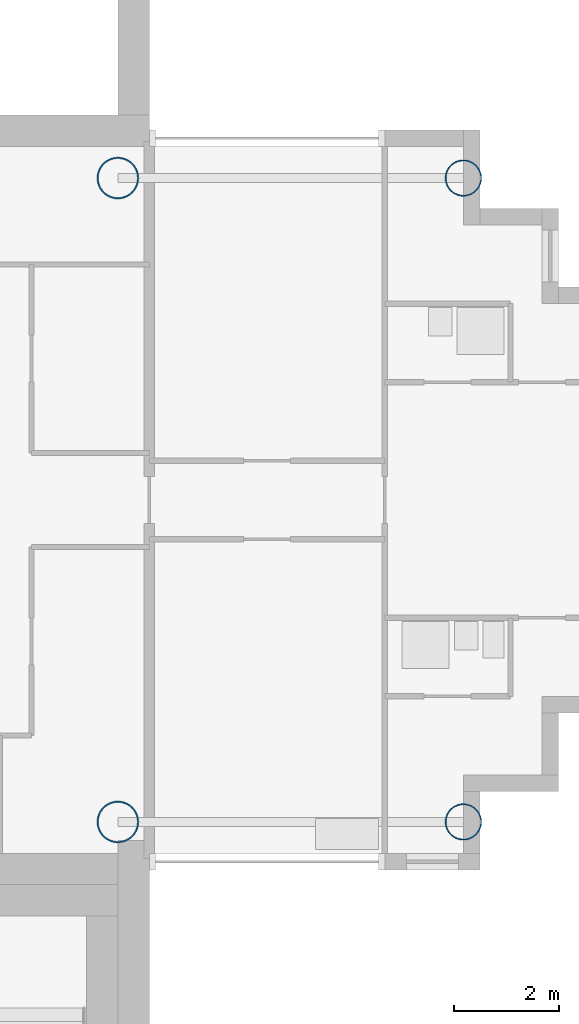
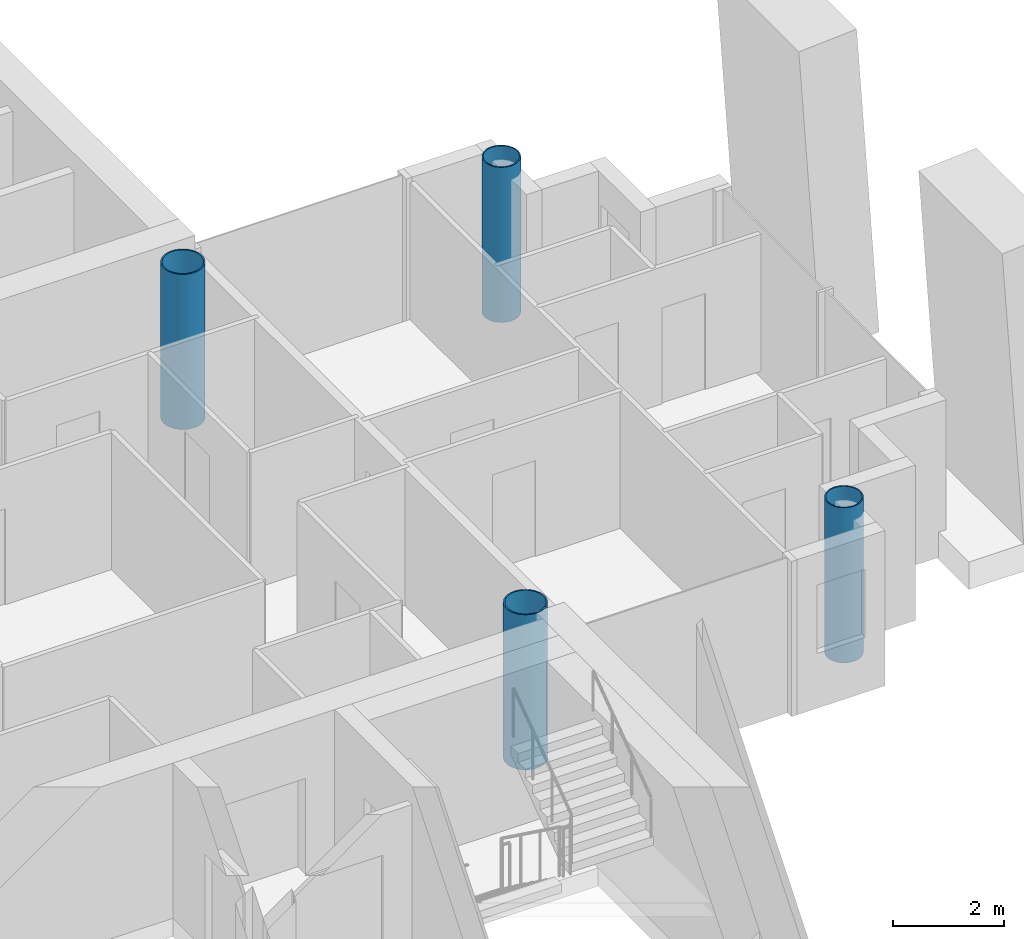
# One storey, part 2 of 19: 4 columns.
"""IFC4 building model written with IfcOpenShell, lengths in metres."""

import ifcopenshell
import ifcopenshell.guid

model = None  # the IFC model being written
_history = None  # IfcOwnerHistory: only IFC2X3 demands one
_inside = {}  # id of a spatial element -> (the spatial element, [elements in it])
_under = {}  # id of a project, library or spatial element -> (it, [spatial elements below it])
_declared = {}  # id of a project -> (the project, [libraries it declares])
_typed = {}  # id of a type object -> (the type object, [elements of that type])
_made_of = {}  # id of a material, layer set ... -> (it, [elements and type objects made of it])


def new_model(schema):
    """Start an empty IFC model of exactly this schema.

    Asked for "IFC4X3", IfcOpenShell would pick the latest addendum, in which some entities
    have other attributes; the version numbers below select the first issue.
    IFC2X3 requires an IfcOwnerHistory on every rooted entity: one is made here for all.
    """
    global model, _history
    if schema == "IFC4X3":
        model = ifcopenshell.file(schema_version=(4, 3, 0, 0))
    else:
        model = ifcopenshell.file(schema=schema)
    _inside.clear()
    _under.clear()
    _declared.clear()
    _typed.clear()
    _made_of.clear()
    _history = None
    if model.schema == "IFC2X3":
        org = make("IfcOrganization", Name="unknown")
        user = make(
            "IfcPersonAndOrganization",
            ThePerson=make("IfcPerson", FamilyName="unknown"),
            TheOrganization=org,
        )
        app = make(
            "IfcApplication",
            ApplicationDeveloper=org,
            Version="unknown",
            ApplicationFullName="unknown",
            ApplicationIdentifier="unknown",
        )
        _history = make(
            "IfcOwnerHistory",
            OwningUser=user,
            OwningApplication=app,
            ChangeAction="ADDED",
            CreationDate=0,
        )
    return model


def make(cls, **values):
    """One entity of the class cls with the attributes given. An attribute that is None is left unset."""
    return model.create_entity(
        cls, **{name: value for name, value in values.items() if value is not None}
    )


def rooted(cls, **values):
    """An entity with a GlobalId (a new one), such as an element, a storey or a relation."""
    return make(cls, GlobalId=ifcopenshell.guid.new(), OwnerHistory=_history, **values)


def si_unit(unit_type, name, prefix=None):
    """IfcSIUnit, for example si_unit("LENGTHUNIT", "METRE", prefix="MILLI")."""
    return make("IfcSIUnit", UnitType=unit_type, Prefix=prefix, Name=name)


def assignment(units):
    """IfcUnitAssignment: the units of a project."""
    return None if units is None else make("IfcUnitAssignment", Units=units)


def point(xyz):
    """IfcCartesianPoint."""
    return None if xyz is None else make("IfcCartesianPoint", Coordinates=xyz)


def direction(xyz):
    """IfcDirection."""
    return None if xyz is None else make("IfcDirection", DirectionRatios=xyz)


def frame(location, z_axis=None, x_axis=None):
    """IfcAxis2Placement3D, a coordinate frame: its origin and axes. An axis left out is left unset."""
    return make(
        "IfcAxis2Placement3D",
        Location=point(location),
        Axis=direction(z_axis),
        RefDirection=direction(x_axis),
    )


def frame_2d(location, x_axis=None):
    """IfcAxis2Placement2D, a coordinate frame in the plane: its origin and x axis."""
    return make(
        "IfcAxis2Placement2D", Location=point(location), RefDirection=direction(x_axis)
    )


def origin():
    """The frame at (0, 0, 0) with its axes left unset."""
    return frame((0.0, 0.0, 0.0))


def origin_2d():
    """The frame at (0, 0) in the plane with its x axis left unset."""
    return frame_2d((0.0, 0.0))


def place(relative_to, where):
    """IfcLocalPlacement: puts the frame where relative to a parent placement (None: the world)."""
    return make(
        "IfcLocalPlacement", PlacementRelTo=relative_to, RelativePlacement=where
    )


def context(
    kind, dimensions, precision=None, world=None, true_north=None, identifier=None
):
    """IfcGeometricRepresentationContext, for example the 3D "Model" context."""
    return make(
        "IfcGeometricRepresentationContext",
        ContextIdentifier=identifier,
        ContextType=kind,
        CoordinateSpaceDimension=dimensions,
        Precision=precision,
        WorldCoordinateSystem=world,
        TrueNorth=true_north,
    )


def subcontext(parent, identifier, kind, view, scale=None):
    """IfcGeometricRepresentationSubContext, for example "Body" below "Model"."""
    return make(
        "IfcGeometricRepresentationSubContext",
        ContextIdentifier=identifier,
        ContextType=kind,
        ParentContext=parent,
        TargetScale=scale,
        TargetView=view,
    )


def project(units=None, contexts=None):
    """IfcProject with its units and contexts."""
    return rooted(
        "IfcProject",
        Name="project",
        RepresentationContexts=contexts,
        UnitsInContext=assignment(units),
    )


def spatial(cls, under=None, at=None, **own):
    """A site, building, storey or space (cls), placed at a placement, below another one or the project."""
    s = rooted(cls, ObjectPlacement=at, **own)
    if under is not None:
        _under.setdefault(under.id(), (under, []))[1].append(s)
    return s


def profile(cls, at=None, kind="AREA", **sizes):
    """A parametric profile (cls). Its sizes go by their IFC names, for example OverallWidth=200.0."""
    return make(cls, ProfileType=kind, Position=at, **sizes)


def hollow_circle(**sizes):
    """IfcCircleHollowProfileDef."""
    return profile("IfcCircleHollowProfileDef", **sizes)


def extrude(swept, where, along, depth):
    """IfcExtrudedAreaSolid: the profile swept, set in the frame where, extruded along a direction by depth."""
    return make(
        "IfcExtrudedAreaSolid",
        SweptArea=swept,
        Position=where,
        ExtrudedDirection=direction(along),
        Depth=depth,
    )


def shape(context_of_items, identifier, shape_type, items):
    """IfcShapeRepresentation: the items that make up one representation, for example the "Body"."""
    return make(
        "IfcShapeRepresentation",
        ContextOfItems=context_of_items,
        RepresentationIdentifier=identifier,
        RepresentationType=shape_type,
        Items=items,
    )


def material(Name=None, Category=None):
    """IfcMaterial."""
    return make("IfcMaterial", Name=Name, Category=Category)


def material_profile(
    of_material, cross_section, Name=None, Category=None, Priority=None
):
    """IfcMaterialProfile: a cross section and its material."""
    return make(
        "IfcMaterialProfile",
        Name=Name,
        Material=of_material,
        Profile=cross_section,
        Priority=Priority,
        Category=Category,
    )


def profile_set(profiles, Name=None, composite=None):
    """IfcMaterialProfileSet."""
    return make(
        "IfcMaterialProfileSet",
        Name=Name,
        MaterialProfiles=profiles,
        CompositeProfile=composite,
    )


def made_of(thing, what):
    """Note that an element or type object is made of a material, layer set ...; save() writes the relation."""
    if what is not None:
        _made_of.setdefault(what.id(), (what, []))[1].append(thing)
    return thing


def type_object(cls, material=None, **own):
    """A type object (cls), such as IfcWallType, which elements share."""
    return made_of(rooted(cls, **own), material)


def element(
    cls,
    number,
    at=None,
    inside=None,
    cuts=None,
    type_object=None,
    material=None,
    context=None,
    identifier="Body",
    shape_type=None,
    held_by="IfcProductDefinitionShape",
    body=None,
    shapes=None,
    **own,
):
    """One element of the class cls, such as IfcWall. Its Tag is "e" and its number.

    at: its placement. inside: the storey or other place that contains it. cuts: it is an
    opening in that element (IfcRelVoidsElement). A single representation is given by context,
    identifier, shape_type and body (its items); several are given by shapes. held_by: the class
    of the entity that holds the representations. save() writes the other relations.
    """
    e = rooted(cls, Tag="e%d" % number, ObjectPlacement=at, **own)
    if body is not None:
        shapes = [shape(context, identifier, shape_type, body)]
    if shapes is not None:
        e.Representation = make(held_by, Representations=shapes)
    if inside is not None:
        _inside.setdefault(inside.id(), (inside, []))[1].append(e)
    if cuts is not None:
        rooted(
            "IfcRelVoidsElement", RelatingBuildingElement=cuts, RelatedOpeningElement=e
        )
    if type_object is not None:
        _typed.setdefault(type_object.id(), (type_object, []))[1].append(e)
    return made_of(e, material)


def aggregate(whole, parts):
    """IfcRelAggregates: a whole, such as a stair, and the parts it consists of."""
    return rooted("IfcRelAggregates", RelatingObject=whole, RelatedObjects=parts)


def save(model, path):
    """Write the relations noted so far, then the file.

    IfcRelAggregates (storeys below a building ...), IfcRelContainedInSpatialStructure (elements
    in a storey), IfcRelDefinesByType, IfcRelAssociatesMaterial and IfcRelDeclares: one each for
    every whole, place, type object, material and project.
    """
    for whole, parts in _under.values():
        aggregate(whole, parts)
    for where, things in _inside.values():
        rooted(
            "IfcRelContainedInSpatialStructure",
            RelatedElements=things,
            RelatingStructure=where,
        )
    for kind, things in _typed.values():
        rooted("IfcRelDefinesByType", RelatedObjects=things, RelatingType=kind)
    for what, things in _made_of.values():
        rooted("IfcRelAssociatesMaterial", RelatedObjects=things, RelatingMaterial=what)
    for by, libraries in _declared.values():
        rooted("IfcRelDeclares", RelatingContext=by, RelatedDefinitions=libraries)
    model.write(path)


model = new_model("IFC4")

# Units and contexts
model_context = context("Model", 3, precision=1e-05, world=origin(), true_north=direction((0.0, 1.0)))
body_context = subcontext(model_context, "Body", "Model", "MODEL_VIEW")
ifc_project = project(units=[si_unit("LENGTHUNIT", "METRE"), si_unit("AREAUNIT", "SQUARE_METRE"), si_unit("VOLUMEUNIT", "CUBIC_METRE"), si_unit("PLANEANGLEUNIT", "RADIAN"), si_unit("MASSUNIT", "GRAM", prefix="KILO")], contexts=[model_context])

# Site, building, storey
site_placement = place(None, origin())
site = spatial("IfcSite", under=ifc_project, at=site_placement, CompositionType="ELEMENT")
building_placement = place(site_placement, origin())
building = spatial("IfcBuilding", under=site, at=building_placement, Name="Ipe Terrace Towers", CompositionType="ELEMENT")
storey_placement = place(building_placement, frame((0.0, 0.0, 189.199951171875)))
storey = spatial("IfcBuildingStorey", under=building, at=storey_placement, Name="L52", CompositionType="ELEMENT", Elevation=189.199951171875)

# Columns
ifc_material_1 = material(Name="Steel S355 tube with Concrete C60/75 fill", Category="concrete")
ifc_material_profile_1 = material_profile(ifc_material_1, hollow_circle(Radius=0.35009765625, WallThickness=0.02490234375, at=origin_2d()), Name="CHS-700x25")
ifc_profile_set_1 = profile_set([ifc_material_profile_1], Name="Steel S355 tube with Concrete C60/75 fill")
column_type_1 = type_object("IfcColumnType", Name="CH08 COLUMN CHS-700x25", PredefinedType="COLUMN", material=ifc_profile_set_1)
for number, where, z_axis, x_axis, name in (
    (1, (48.75, -6.14990234375, 0.0), (0.0, 0.0, 1.0), (1.0, 0.0, 0.0), "Column T2-C-D01"),
    (2, (48.75, 6.14990234375, 0.0), (0.0, 0.0, 1.0), (1.0, 0.0, 0.0), "Column T2-C-D02"),
):
    element("IfcColumn", number, at=place(storey_placement, frame(where, z_axis=z_axis, x_axis=x_axis)), inside=storey, type_object=column_type_1, Name=name, PredefinedType="COLUMN", context=body_context, shape_type="SweptSolid", body=[
        extrude(hollow_circle(Radius=0.35009765625, WallThickness=0.02490234375, at=origin_2d()), origin(), (0.0, 0.0, 1.0), 3.400146484375),
    ])
ifc_material_2 = material(Name="Steel S355 tube with Concrete C60/75 fill", Category="concrete")
ifc_material_profile_2 = material_profile(ifc_material_2, hollow_circle(Radius=0.39990234375, WallThickness=0.028076171875, at=origin_2d()), Name="CHS-800x28")
ifc_profile_set_2 = profile_set([ifc_material_profile_2], Name="Steel S355 tube with Concrete C60/75 fill")
column_type_2 = type_object("IfcColumnType", Name="CH09 COLUMN CHS-800x28", PredefinedType="COLUMN", material=ifc_profile_set_2)
for number, where, z_axis, x_axis, name in (
    (3, (42.14990234375, -6.14990234375, 0.0), (0.0, 0.0, 1.0), (1.0, 0.0, 0.0), "Column T2-C-E01"),
    (4, (42.14990234375, 6.14990234375, 0.0), (0.0, 0.0, 1.0), (1.0, 0.0, 0.0), "Column T2-C-E02"),
):
    element("IfcColumn", number, at=place(storey_placement, frame(where, z_axis=z_axis, x_axis=x_axis)), inside=storey, type_object=column_type_2, Name=name, PredefinedType="COLUMN", context=body_context, shape_type="SweptSolid", body=[
        extrude(hollow_circle(Radius=0.39990234375, WallThickness=0.028076171875, at=origin_2d()), origin(), (0.0, 0.0, 1.0), 3.400146484375),
    ])

save(model, "model.ifc")
